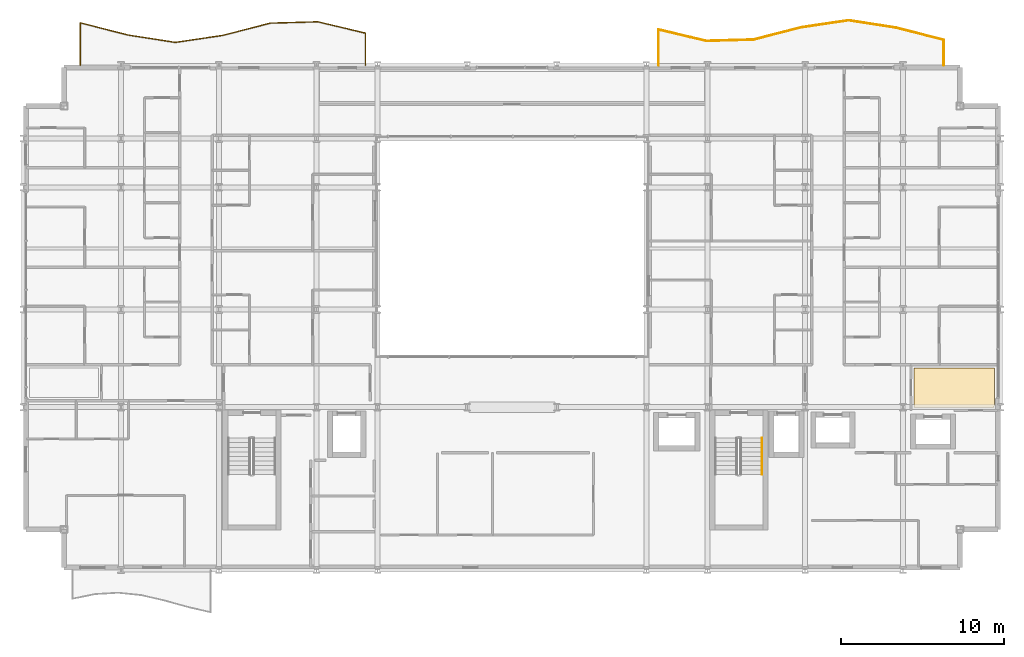
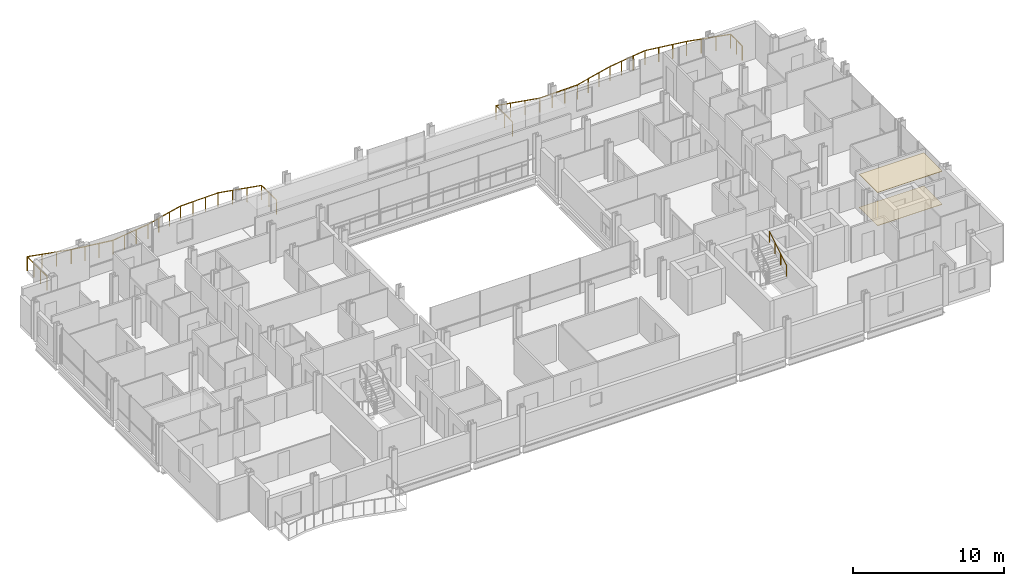
# One storey, part 40 of 40: 3 railings, 2 coverings.
"""IFC4 building model written with IfcOpenShell, lengths in metres."""

from ifc_helpers import new_model, si_unit, direction, frame, origin, origin_2d, place, context, subcontext, project, spatial, polyline, circle, outline, extrude, material, layer, layer_set, type_object, element, save


model = new_model("IFC4")

# Units and contexts
model_context = context("Model", 3, precision=1e-05, world=origin(), true_north=direction((0.0, 1.0)))
body_context = subcontext(model_context, "Body", "Model", "MODEL_VIEW")
ifc_project = project(units=[si_unit("LENGTHUNIT", "METRE"), si_unit("AREAUNIT", "SQUARE_METRE"), si_unit("VOLUMEUNIT", "CUBIC_METRE"), si_unit("PLANEANGLEUNIT", "RADIAN"), si_unit("MASSUNIT", "GRAM", prefix="KILO")], contexts=[model_context])

# Site, building, storey
site_placement = place(None, origin())
site = spatial("IfcSite", under=ifc_project, at=site_placement, CompositionType="ELEMENT")
building_placement = place(site_placement, origin())
building = spatial("IfcBuilding", under=site, at=building_placement, Name="Brevholm Reach", CompositionType="ELEMENT")
storey_placement = place(building_placement, frame((0.0, 0.0, 31.10009765625)))
storey = spatial("IfcBuildingStorey", under=building, at=storey_placement, Name="L07", CompositionType="ELEMENT", Elevation=31.10009765625)

# Coverings
ifc_material_1 = material(Name="Moisture-Resistant Skimmed Gypsum Plasterboard Ceiling", Category="gypsum")
ifc_layer_1 = layer(ifc_material_1, 0.030029296875)
ifc_layer_set_1 = layer_set([ifc_layer_1], Name="Moisture-Resistant Skimmed Gypsum Plasterboard Ceiling")
covering_type_1 = type_object("IfcCoveringType", Name="COV-CLG-GYP", PredefinedType="CEILING", material=ifc_layer_set_1)
covering_1_placement = place(storey_placement, frame((0.0, 0.0, 2.669921875)))
element("IfcCovering", 1, at=covering_1_placement, inside=storey, type_object=covering_type_1, Name="L07 Suspended Ceiling L07-33", PredefinedType="CEILING", context=body_context, shape_type="SweptSolid", body=[
    extrude(outline(polyline([(59.6201171875, 12.419921875), (59.6201171875, 10.123779296875), (59.6171875, 10.1162109375), (59.607666015625, 10.077880859375), (59.601806640625, 10.039306640625), (59.60009765625, 10.0), (59.60107421875, 9.97998046875), (54.68408203125, 9.97998046875), (54.68408203125, 12.419921875), (59.6201171875, 12.419921875)])), origin(), (0.0, 0.0, 1.0), 0.030029296875),
])
ifc_material_2 = material(Name="Honed Portland-Aggregate Resin Terrazzo Flooring", Category="concrete")
ifc_layer_2 = layer(ifc_material_2, 0.031982421875)
ifc_layer_set_2 = layer_set([ifc_layer_2], Name="Honed Portland-Aggregate Resin Terrazzo Flooring")
covering_type_2 = type_object("IfcCoveringType", Name="COV-FLR-TRZ", PredefinedType="FLOORING", material=ifc_layer_set_2)
covering_2_placement = place(storey_placement, origin())
element("IfcCovering", 2, at=covering_2_placement, inside=storey, type_object=covering_type_2, Name="L07 Floor Finish L07-33", PredefinedType="FLOORING", context=body_context, shape_type="SweptSolid", body=[
    extrude(outline(polyline([(59.6201171875, 12.419921875), (59.6201171875, 10.123779296875), (59.6171875, 10.1162109375), (59.607666015625, 10.077880859375), (59.601806640625, 10.039306640625), (59.60009765625, 10.0), (59.60107421875, 9.97998046875), (54.68408203125, 9.97998046875), (54.68408203125, 12.419921875), (59.6201171875, 12.419921875)])), origin(), (0.0, 0.0, 1.0), 0.031982421875),
])

# Railings
ifc_material_3 = material(Name="Brushed Stainless Steel EN 1.4401 and Laminated Glass", Category="steel")
railing_type_1 = type_object("IfcRailingType", Name="RAL-BALC-1150", PredefinedType="BALUSTRADE", material=ifc_material_3)
railing_1_placement = place(storey_placement, frame((56.5, 31.0, 0.0)))
element("IfcRailing", 3, at=railing_1_placement, inside=storey, type_object=railing_type_1, Name="L07 Guard Balustrade RAL-L07-BAL-NE", PredefinedType="BALUSTRADE", context=body_context, shape_type="SweptSolid", body=[
    extrude(circle(Radius=0.02392578125, at=origin_2d()), frame((0.0, 0.0, 1.1259765625), z_axis=(0.0, 1.0, 0.0), x_axis=(-1.0, 0.0, 0.0)), (0.0, 0.0, 1.0), 1.55029296875),
    extrude(circle(Radius=0.02392578125, at=origin_2d()), frame((0.0, 1.55029296875, 1.1259765625), z_axis=(-0.968923500885, 0.24736056564, 0.0), x_axis=(-0.24736056564, -0.968923500885, 0.0)), (0.0, 0.0, 1.0), 3.01025390625),
    extrude(circle(Radius=0.02392578125, at=origin_2d()), frame((-2.916748046875, 2.294921875, 1.1259765625), z_axis=(-0.988044338858, 0.154169985571, 0.0), x_axis=(-0.154169985571, -0.988044338858, 0.0)), (0.0, 0.0, 1.0), 2.951904296875),
    extrude(circle(Radius=0.02392578125, at=origin_2d()), frame((-5.833251953125, 2.75, 1.1259765625), z_axis=(-0.989154508095, -0.146878722471, 0.0), x_axis=(0.146878722471, -0.989154508095, 0.0)), (0.0, 0.0, 1.0), 2.94873046875),
    extrude(circle(Radius=0.02392578125, at=origin_2d()), frame((-8.75, 2.31689453125, 1.1259765625), z_axis=(-0.968396782901, -0.249414656482, 0.0), x_axis=(0.249414656482, -0.968396782901, 0.0)), (0.0, 0.0, 1.0), 3.011962890625),
    extrude(circle(Radius=0.02392578125, at=origin_2d()), frame((-11.666748046875, 1.565673828125, 1.1259765625), z_axis=(-0.999614033457, -0.027781002771, 0.0), x_axis=(0.027781002771, -0.999614033457, 0.0)), (0.0, 0.0, 1.0), 2.917724609375),
    extrude(circle(Radius=0.02392578125, at=origin_2d()), frame((-14.583251953125, 1.484619140625, 1.1259765625), z_axis=(-0.972687280988, 0.232119480882, 0.0), x_axis=(-0.232119480882, -0.972687280988, 0.0)), (0.0, 0.0, 1.0), 2.99853515625),
    extrude(circle(Radius=0.02392578125, at=origin_2d()), frame((-17.5, 2.1806640625, 1.1259765625), z_axis=(0.0, -1.0, 0.0), x_axis=(1.0, 0.0, 0.0)), (0.0, 0.0, 1.0), 2.1806640625),
    extrude(circle(Radius=0.02099609375, at=origin_2d()), origin(), (0.0, 0.0, 1.0), 1.101806640625),
    extrude(circle(Radius=0.02099609375, at=origin_2d()), frame((0.0, 0.775146484375, 0.0)), (0.0, 0.0, 1.0), 1.101806640625),
    extrude(circle(Radius=0.02099609375, at=origin_2d()), frame((0.0, 1.55029296875, 0.0)), (0.0, 0.0, 1.0), 1.101806640625),
    extrude(circle(Radius=0.02099609375, at=origin_2d()), frame((-0.97216796875, 1.798583984375, 0.0)), (0.0, 0.0, 1.0), 1.101806640625),
    extrude(circle(Radius=0.02099609375, at=origin_2d()), frame((-1.944580078125, 2.046630859375, 0.0)), (0.0, 0.0, 1.0), 1.101806640625),
    extrude(circle(Radius=0.02099609375, at=origin_2d()), frame((-2.916748046875, 2.294921875, 0.0)), (0.0, 0.0, 1.0), 1.101806640625),
    extrude(circle(Radius=0.02099609375, at=origin_2d()), frame((-3.888916015625, 2.446533203125, 0.0)), (0.0, 0.0, 1.0), 1.101806640625),
    extrude(circle(Radius=0.02099609375, at=origin_2d()), frame((-4.861083984375, 2.598388671875, 0.0)), (0.0, 0.0, 1.0), 1.101806640625),
    extrude(circle(Radius=0.02099609375, at=origin_2d()), frame((-5.833251953125, 2.75, 0.0)), (0.0, 0.0, 1.0), 1.101806640625),
    extrude(circle(Radius=0.02099609375, at=origin_2d()), frame((-6.805419921875, 2.605712890625, 0.0)), (0.0, 0.0, 1.0), 1.101806640625),
    extrude(circle(Radius=0.02099609375, at=origin_2d()), frame((-7.77783203125, 2.461181640625, 0.0)), (0.0, 0.0, 1.0), 1.101806640625),
    extrude(circle(Radius=0.02099609375, at=origin_2d()), frame((-8.75, 2.31689453125, 0.0)), (0.0, 0.0, 1.0), 1.101806640625),
    extrude(circle(Radius=0.02099609375, at=origin_2d()), frame((-9.72216796875, 2.06640625, 0.0)), (0.0, 0.0, 1.0), 1.101806640625),
    extrude(circle(Radius=0.02099609375, at=origin_2d()), frame((-10.694580078125, 1.816162109375, 0.0)), (0.0, 0.0, 1.0), 1.101806640625),
    extrude(circle(Radius=0.02099609375, at=origin_2d()), frame((-11.666748046875, 1.565673828125, 0.0)), (0.0, 0.0, 1.0), 1.101806640625),
    extrude(circle(Radius=0.02099609375, at=origin_2d()), frame((-12.638916015625, 1.53857421875, 0.0)), (0.0, 0.0, 1.0), 1.101806640625),
    extrude(circle(Radius=0.02099609375, at=origin_2d()), frame((-13.611083984375, 1.51171875, 0.0)), (0.0, 0.0, 1.0), 1.101806640625),
    extrude(circle(Radius=0.02099609375, at=origin_2d()), frame((-14.583251953125, 1.484619140625, 0.0)), (0.0, 0.0, 1.0), 1.101806640625),
    extrude(circle(Radius=0.02099609375, at=origin_2d()), frame((-15.555419921875, 1.716552734375, 0.0)), (0.0, 0.0, 1.0), 1.101806640625),
    extrude(circle(Radius=0.02099609375, at=origin_2d()), frame((-16.52783203125, 1.94873046875, 0.0)), (0.0, 0.0, 1.0), 1.101806640625),
    extrude(circle(Radius=0.02099609375, at=origin_2d()), frame((-17.5, 2.1806640625, 0.0)), (0.0, 0.0, 1.0), 1.101806640625),
    extrude(circle(Radius=0.02099609375, at=origin_2d()), frame((-17.5, 1.09033203125, 0.0)), (0.0, 0.0, 1.0), 1.101806640625),
    extrude(circle(Radius=0.02099609375, at=origin_2d()), frame((-17.5, 0.0, 0.0)), (0.0, 0.0, 1.0), 1.101806640625),
])
railing_2_placement = place(storey_placement, frame((21.0, 31.0, 0.0)))
element("IfcRailing", 4, at=railing_2_placement, inside=storey, type_object=railing_type_1, Name="L07 Guard Balustrade RAL-L07-BAL-NW", PredefinedType="BALUSTRADE", context=body_context, shape_type="SweptSolid", body=[
    extrude(circle(Radius=0.02392578125, at=origin_2d()), frame((0.0, 0.0, 1.1259765625), z_axis=(0.0, 1.0, 0.0), x_axis=(-1.0, 0.0, 0.0)), (0.0, 0.0, 1.0), 1.969482421875),
    extrude(circle(Radius=0.02392578125, at=origin_2d()), frame((0.0, 1.969482421875, 1.1259765625), z_axis=(-0.972705660557, 0.23204244853, 0.0), x_axis=(-0.23204244853, -0.972705660557, 0.0)), (0.0, 0.0, 1.0), 2.99853515625),
    extrude(circle(Radius=0.02392578125, at=origin_2d()), frame((-2.916748046875, 2.665283203125, 1.1259765625), z_axis=(-0.99961635372, -0.027697389342, 0.0), x_axis=(0.027697389342, -0.99961635372, 0.0)), (0.0, 0.0, 1.0), 2.917724609375),
    extrude(circle(Radius=0.02392578125, at=origin_2d()), frame((-5.833251953125, 2.58447265625, 1.1259765625), z_axis=(-0.968377202247, -0.2494906695, 0.0), x_axis=(0.2494906695, -0.968377202247, 0.0)), (0.0, 0.0, 1.0), 3.011962890625),
    extrude(circle(Radius=0.02392578125, at=origin_2d()), frame((-8.75, 1.8330078125, 1.1259765625), z_axis=(-0.98916653389, -0.146797711943, 0.0), x_axis=(0.146797711943, -0.98916653389, 0.0)), (0.0, 0.0, 1.0), 2.94873046875),
    extrude(circle(Radius=0.02392578125, at=origin_2d()), frame((-11.666748046875, 1.400146484375, 1.1259765625), z_axis=(-0.988044338858, 0.154169985571, 0.0), x_axis=(-0.154169985571, -0.988044338858, 0.0)), (0.0, 0.0, 1.0), 2.951904296875),
    extrude(circle(Radius=0.02392578125, at=origin_2d()), frame((-14.583251953125, 1.855224609375, 1.1259765625), z_axis=(-0.968942936238, 0.247284423921, 0.0), x_axis=(-0.247284423921, -0.968942936238, 0.0)), (0.0, 0.0, 1.0), 3.01025390625),
    extrude(circle(Radius=0.02392578125, at=origin_2d()), frame((-17.5, 2.599609375, 1.1259765625), z_axis=(0.0, -1.0, 0.0), x_axis=(1.0, 0.0, 0.0)), (0.0, 0.0, 1.0), 2.599609375),
    extrude(circle(Radius=0.02099609375, at=origin_2d()), origin(), (0.0, 0.0, 1.0), 1.101806640625),
    extrude(circle(Radius=0.02099609375, at=origin_2d()), frame((0.0, 0.98486328125, 0.0)), (0.0, 0.0, 1.0), 1.101806640625),
    extrude(circle(Radius=0.02099609375, at=origin_2d()), frame((0.0, 1.969482421875, 0.0)), (0.0, 0.0, 1.0), 1.101806640625),
    extrude(circle(Radius=0.02099609375, at=origin_2d()), frame((-0.97216796875, 2.201416015625, 0.0)), (0.0, 0.0, 1.0), 1.101806640625),
    extrude(circle(Radius=0.02099609375, at=origin_2d()), frame((-1.944580078125, 2.433349609375, 0.0)), (0.0, 0.0, 1.0), 1.101806640625),
    extrude(circle(Radius=0.02099609375, at=origin_2d()), frame((-2.916748046875, 2.665283203125, 0.0)), (0.0, 0.0, 1.0), 1.101806640625),
    extrude(circle(Radius=0.02099609375, at=origin_2d()), frame((-3.888916015625, 2.638427734375, 0.0)), (0.0, 0.0, 1.0), 1.101806640625),
    extrude(circle(Radius=0.02099609375, at=origin_2d()), frame((-4.861083984375, 2.611328125, 0.0)), (0.0, 0.0, 1.0), 1.101806640625),
    extrude(circle(Radius=0.02099609375, at=origin_2d()), frame((-5.833251953125, 2.58447265625, 0.0)), (0.0, 0.0, 1.0), 1.101806640625),
    extrude(circle(Radius=0.02099609375, at=origin_2d()), frame((-6.805419921875, 2.333984375, 0.0)), (0.0, 0.0, 1.0), 1.101806640625),
    extrude(circle(Radius=0.02099609375, at=origin_2d()), frame((-7.77783203125, 2.08349609375, 0.0)), (0.0, 0.0, 1.0), 1.101806640625),
    extrude(circle(Radius=0.02099609375, at=origin_2d()), frame((-8.75, 1.8330078125, 0.0)), (0.0, 0.0, 1.0), 1.101806640625),
    extrude(circle(Radius=0.02099609375, at=origin_2d()), frame((-9.72216796875, 1.688720703125, 0.0)), (0.0, 0.0, 1.0), 1.101806640625),
    extrude(circle(Radius=0.02099609375, at=origin_2d()), frame((-10.694580078125, 1.54443359375, 0.0)), (0.0, 0.0, 1.0), 1.101806640625),
    extrude(circle(Radius=0.02099609375, at=origin_2d()), frame((-11.666748046875, 1.400146484375, 0.0)), (0.0, 0.0, 1.0), 1.101806640625),
    extrude(circle(Radius=0.02099609375, at=origin_2d()), frame((-12.638916015625, 1.5517578125, 0.0)), (0.0, 0.0, 1.0), 1.101806640625),
    extrude(circle(Radius=0.02099609375, at=origin_2d()), frame((-13.611083984375, 1.70361328125, 0.0)), (0.0, 0.0, 1.0), 1.101806640625),
    extrude(circle(Radius=0.02099609375, at=origin_2d()), frame((-14.583251953125, 1.855224609375, 0.0)), (0.0, 0.0, 1.0), 1.101806640625),
    extrude(circle(Radius=0.02099609375, at=origin_2d()), frame((-15.555419921875, 2.103271484375, 0.0)), (0.0, 0.0, 1.0), 1.101806640625),
    extrude(circle(Radius=0.02099609375, at=origin_2d()), frame((-16.52783203125, 2.3515625, 0.0)), (0.0, 0.0, 1.0), 1.101806640625),
    extrude(circle(Radius=0.02099609375, at=origin_2d()), frame((-17.5, 2.599609375, 0.0)), (0.0, 0.0, 1.0), 1.101806640625),
    extrude(circle(Radius=0.02099609375, at=origin_2d()), frame((-17.5, 1.733154296875, 0.0)), (0.0, 0.0, 1.0), 1.101806640625),
    extrude(circle(Radius=0.02099609375, at=origin_2d()), frame((-17.5, 0.866455078125, 0.0)), (0.0, 0.0, 1.0), 1.101806640625),
    extrude(circle(Radius=0.02099609375, at=origin_2d()), frame((-17.5, 0.0, 0.0)), (0.0, 0.0, 1.0), 1.101806640625),
])
ifc_material_4 = material(Name="Brushed Stainless Steel EN 1.4401 Continuous Handrail", Category="steel")
railing_type_2 = type_object("IfcRailingType", Name="RAL-HND-950", PredefinedType="HANDRAIL", material=ifc_material_4)
railing_3_placement = place(storey_placement, frame((45.35009765625, 5.860107421875, 1.72216796875)))
element("IfcRailing", 5, at=railing_3_placement, inside=storey, type_object=railing_type_2, Name="L07 ST-2 stair handrail 2", PredefinedType="HANDRAIL", context=body_context, shape_type="SweptSolid", body=[
    extrude(circle(Radius=0.02392578125, at=origin_2d()), frame((0.0, 0.0, 0.8857421875), z_axis=(0.0, 0.85178898068, 0.523885037382), x_axis=(-1.0, 0.0, 0.0)), (0.0, 0.0, 1.0), 2.629638671875),
    extrude(circle(Radius=0.02099609375, at=origin_2d()), origin(), (0.0, 0.0, 1.0), 0.86181640625),
    extrude(circle(Radius=0.02099609375, at=origin_2d()), frame((0.0, 0.74658203125, 0.459228515625)), (0.0, 0.0, 1.0), 0.86181640625),
    extrude(circle(Radius=0.02099609375, at=origin_2d()), frame((0.0, 1.493408203125, 0.91845703125)), (0.0, 0.0, 1.0), 0.86181640625),
    extrude(circle(Radius=0.02099609375, at=origin_2d()), frame((0.0, 2.239990234375, 1.377685546875)), (0.0, 0.0, 1.0), 0.86181640625),
])

save(model, "model.ifc")
